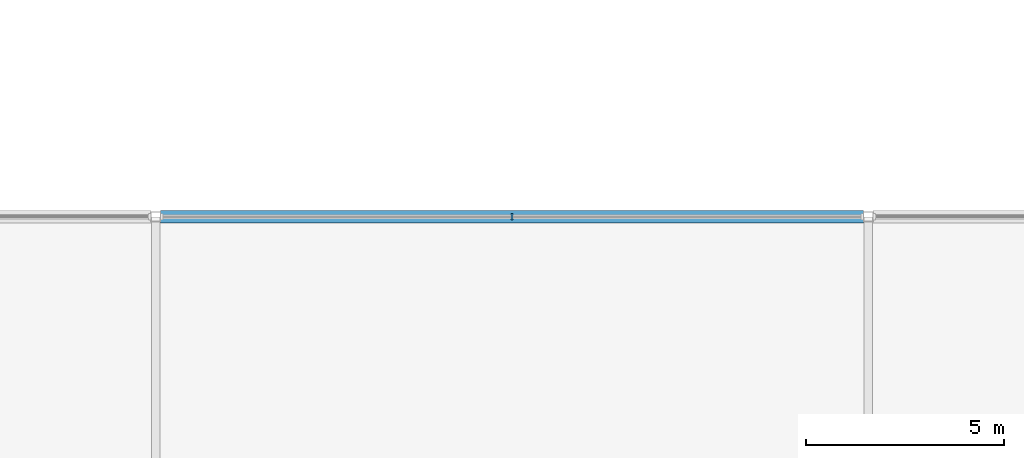
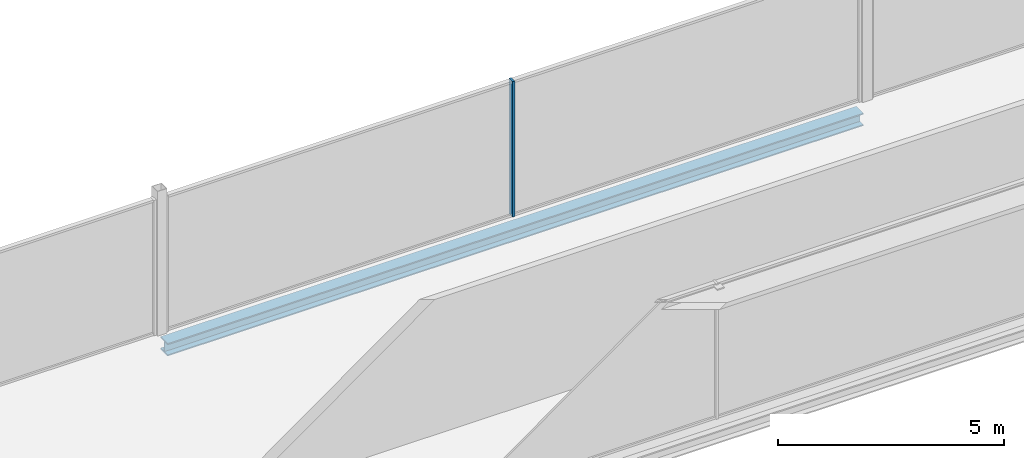
# One storey, part 29 of 96: 1 beam, 1 member, 1 element without a shape of its own.
"""IFC4 building model written with IfcOpenShell, lengths in metres."""

from ifc_helpers import new_model, si_unit, direction, frame, origin, origin_2d, place, context, subcontext, project, spatial, rectangle, i_section, extrude, material, layer, layer_set, material_profile, profile_set, type_object, element, aggregate, save


model = new_model("IFC4")

# Units and contexts
model_context = context("Model", 3, precision=1e-05, world=origin(), true_north=direction((0.0, 1.0)))
body_context = subcontext(model_context, "Body", "Model", "MODEL_VIEW")
ifc_project = project(units=[si_unit("LENGTHUNIT", "METRE"), si_unit("AREAUNIT", "SQUARE_METRE"), si_unit("VOLUMEUNIT", "CUBIC_METRE"), si_unit("PLANEANGLEUNIT", "RADIAN"), si_unit("MASSUNIT", "GRAM", prefix="KILO")], contexts=[model_context])

# Site, building, storey
site_placement = place(None, origin())
site = spatial("IfcSite", under=ifc_project, at=site_placement, CompositionType="ELEMENT")
building_placement = place(site_placement, origin())
building = spatial("IfcBuilding", under=site, at=building_placement, Name="Kisiwana Market Hall", CompositionType="ELEMENT")
storey_placement = place(building_placement, frame((0.0, 0.0, 25.5)))
storey = spatial("IfcBuildingStorey", under=building, at=storey_placement, Name="L05", CompositionType="ELEMENT", Elevation=25.5)

# Beam
ifc_material_1 = material(Name="Steel S355", Category="steel")
ifc_material_profile_1 = material_profile(ifc_material_1, i_section(OverallWidth=0.314453125, OverallDepth=0.33984375, WebThickness=0.01904296875, FlangeThickness=0.031494140625, at=origin_2d()), Name="UC 305x305x198")
ifc_profile_set_1 = profile_set([ifc_material_profile_1], Name="Steel S355")
beam_type = type_object("IfcBeamType", Name="BM-SKYBR-CHORD", PredefinedType="BEAM", material=ifc_profile_set_1)
beam_placement = place(storey_placement, frame((117.12109375, 27.0, -0.43505859375), z_axis=(1.0, 0.0, 0.0), x_axis=(0.0, 1.0, 0.0)))
element("IfcBeam", 1, at=beam_placement, inside=storey, type_object=beam_type, Name="Floor beam B-1621", PredefinedType="BEAM", context=body_context, shape_type="SweptSolid", body=[
    extrude(i_section(OverallWidth=0.314453125, OverallDepth=0.33984375, WebThickness=0.01904296875, FlangeThickness=0.031494140625, at=origin_2d()), origin(), (0.0, 0.0, 1.0), 17.7578125),
])

# Curtain wall, member
ifc_material_2 = material(Name="Double-glazed solar-control low-E IGU", Category="glass")
ifc_layer = layer(ifc_material_2, 0.159912109375)
ifc_layer_set = layer_set([ifc_layer], Name="CW-ZNA-EW-8200")
curtain_wall_type = type_object("IfcCurtainWallType", Name="CW-ZNA-EW-8200", PredefinedType="USERDEFINED", material=ifc_layer_set)
curtain_wall_placement = place(storey_placement, origin())
curtain_wall = element("IfcCurtainWall", 2, at=curtain_wall_placement, inside=storey, type_object=curtain_wall_type, Name="Unitised curtain wall CW-142 (L05)", ObjectType="UNITISED CURTAIN WALL", PredefinedType="USERDEFINED")
ifc_material_3 = material(Name="Aluminium alloy 6063-T6", Category="aluminium")
ifc_material_profile_2 = material_profile(ifc_material_3, rectangle(XDim=0.06005859375, YDim=0.159912109375, at=origin_2d()), Name="ALU MULLION 60x160")
ifc_profile_set_2 = profile_set([ifc_material_profile_2], Name="Aluminium alloy 6063-T6")
member_type = type_object("IfcMemberType", Name="CW-MULL-60x160", PredefinedType="MULLION", material=ifc_profile_set_2)
member_placement = place(storey_placement, frame((126.0, 27.0, 0.0), z_axis=(0.0, 0.0, 1.0), x_axis=(1.0, 0.0, 0.0)))
member = element("IfcMember", 3, at=member_placement, type_object=member_type, Name="CW-142 mullion 2", PredefinedType="MULLION", context=body_context, shape_type="SweptSolid", body=[
    extrude(rectangle(XDim=0.06005859375, YDim=0.159912109375, at=origin_2d()), origin(), (0.0, 0.0, 1.0), 3.655029296875),
])
aggregate(curtain_wall, [member])

save(model, "model.ifc")
